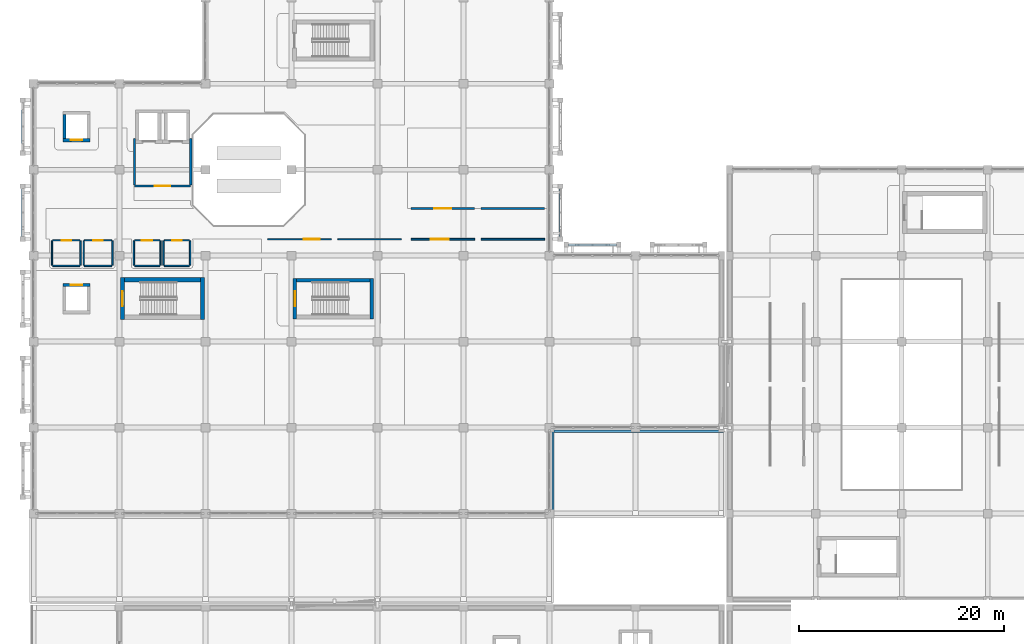
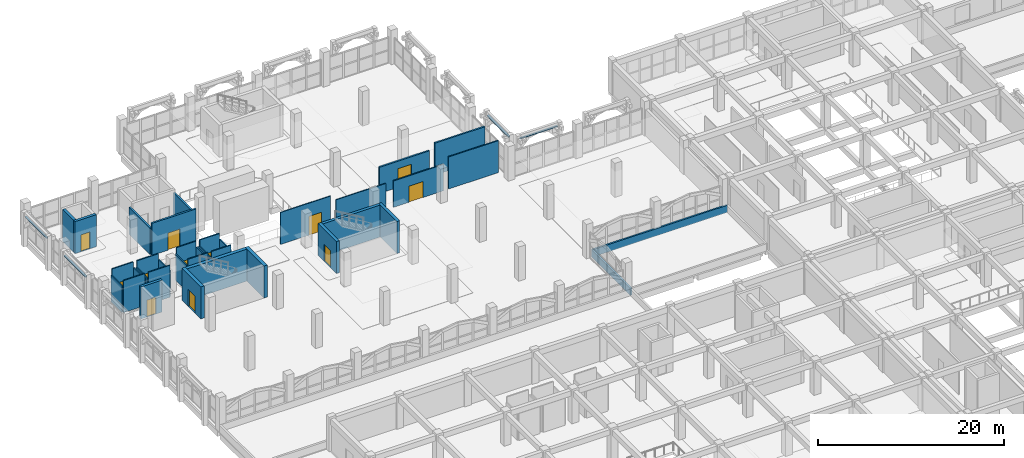
# One storey, part 112 of 129: 40 walls, 12 doors, 12 openings.
"""IFC4 building model written with IfcOpenShell, lengths in metres."""

from ifc_helpers import new_model, si_unit, direction, frame, frame_2d, origin, place, context, subcontext, project, spatial, rectangle, extrude, material, layer, layer_set, type_object, element, fill, save


model = new_model("IFC4")

# Units and contexts
model_context = context("Model", 3, precision=1e-05, world=origin(), true_north=direction((0.0, 1.0)))
body_context = subcontext(model_context, "Body", "Model", "MODEL_VIEW")
ifc_project = project(units=[si_unit("LENGTHUNIT", "METRE"), si_unit("AREAUNIT", "SQUARE_METRE"), si_unit("VOLUMEUNIT", "CUBIC_METRE"), si_unit("PLANEANGLEUNIT", "RADIAN"), si_unit("MASSUNIT", "GRAM", prefix="KILO")], contexts=[model_context])

# Site, building, storey
site_placement = place(None, origin())
site = spatial("IfcSite", under=ifc_project, at=site_placement, CompositionType="ELEMENT")
building_placement = place(site_placement, origin())
building = spatial("IfcBuilding", under=site, at=building_placement, Name="Xazarin Passage Department Store", CompositionType="ELEMENT")
storey_placement = place(building_placement, frame((0.0, 0.0, 9.89990234375)))
storey = spatial("IfcBuildingStorey", under=building, at=storey_placement, Name="L02", CompositionType="ELEMENT", Elevation=9.89990234375)

# Wall, opening, door
ifc_material_1 = material(Name="Buff Baku clay brick", Category="masonry")
ifc_layer_1 = layer(ifc_material_1, 0.205078125)
ifc_layer_set_1 = layer_set([ifc_layer_1], Name="Buff Baku clay brick")
wall_type_1 = type_object("IfcWallType", Name="ARC-W-FIR205", PredefinedType="PARTITIONING", material=ifc_layer_set_1)
wall_1_placement = place(storey_placement, frame((36.8701171875, 89.39990234375, 0.0), z_axis=(0.0, 0.0, 1.0), x_axis=(1.0, 0.0, 0.0)))
wall_1 = element("IfcWall", 1, at=wall_1_placement, inside=storey, type_object=wall_type_1, Name="L02 Menswear Tailoring Salon Front Wall 0157", PredefinedType="PARTITIONING", context=body_context, shape_type="SweptSolid", body=[
    extrude(rectangle(XDim=6.2099609375, YDim=0.205078125, at=frame_2d((3.10498046875, 0.0))), origin(), (0.0, 0.0, 1.0), 3.4501953125),
])
opening_1_placement = place(wall_1_placement, frame((2.284912109375, 0.0, 0.0)))
opening_1 = element("IfcOpeningElement", 2, at=opening_1_placement, cuts=wall_1, Name="Opening ID46", PredefinedType="OPENING", context=body_context, shape_type="SweptSolid", body=[
    extrude(rectangle(XDim=1.639892578125, YDim=2.4599609375, at=frame_2d((0.81982421875, 1.22998046875))), frame((0.0, 0.112548828125, 0.0), z_axis=(0.0, -1.0, 0.0), x_axis=(1.0, 0.0, 0.0)), (0.0, 0.0, 1.0), 0.22509765625),
])
ifc_material_2 = material(Name="Bronze anodised aluminium", Category="aluminium")
door_type_1 = type_object("IfcDoorType", Name="ARC-DR-ID46", OperationType="NOTDEFINED", PredefinedType="DOOR", material=ifc_material_2)
door_1_placement = place(opening_1_placement, origin())
door_1 = element("IfcDoor", 3, at=door_1_placement, inside=storey, type_object=door_type_1, Name="DR-INT-L02-0157", OperationType="DOUBLE_DOOR_SINGLE_SWING", OverallHeight=2.4599609375, OverallWidth=1.639892578125, PredefinedType="DOOR", context=body_context, shape_type="SweptSolid", body=[
    extrude(rectangle(XDim=1.639892578125, YDim=2.4599609375, at=frame_2d((0.81982421875, 1.22998046875))), frame((0.0, 0.02490234375, 0.0), z_axis=(0.0, -1.0, 0.0), x_axis=(1.0, 0.0, 0.0)), (0.0, 0.0, 1.0), 0.050048828125),
])
fill(opening_1, door_1)

# Wall
wall_2_placement = place(storey_placement, frame((43.719970703125, 89.39990234375, 0.0), z_axis=(0.0, 0.0, 1.0), x_axis=(1.0, 0.0, 0.0)))
element("IfcWall", 4, at=wall_2_placement, inside=storey, type_object=wall_type_1, Name="L02 Menswear Tailoring Salon Front Wall 0158", PredefinedType="PARTITIONING", context=body_context, shape_type="SweptSolid", body=[
    extrude(rectangle(XDim=6.2099609375, YDim=0.205078125, at=frame_2d((3.10498046875, 0.0))), origin(), (0.0, 0.0, 1.0), 4.2001953125),
])

# Wall, opening, door
ifc_material_3 = material(Name="Concrete C35/45", Category="concrete")
ifc_layer_2 = layer(ifc_material_3, 0.22509765625)
ifc_layer_set_2 = layer_set([ifc_layer_2], Name="Concrete C35/45")
wall_type_2 = type_object("IfcWallType", Name="ARC-W-FIR225", PredefinedType="PARTITIONING", material=ifc_layer_set_2)
wall_3_placement = place(storey_placement, frame((9.85009765625, 91.60009765625, 0.0), z_axis=(0.0, 0.0, 1.0), x_axis=(1.0, 0.0, 0.0)))
wall_3 = element("IfcWall", 5, at=wall_3_placement, inside=storey, type_object=wall_type_2, Name="L02 Firefighting Lift Lobby South Wall 0010", PredefinedType="PARTITIONING", context=body_context, shape_type="SweptSolid", body=[
    extrude(rectangle(XDim=5.5, YDim=0.22509765625, at=frame_2d((2.75, 0.0))), origin(), (0.0, 0.0, 1.0), 4.2001953125),
])
opening_2_placement = place(wall_3_placement, frame((2.0, 0.0, 0.0)))
opening_2 = element("IfcOpeningElement", 6, at=opening_2_placement, cuts=wall_3, Name="Opening FD3", PredefinedType="OPENING", context=body_context, shape_type="SweptSolid", body=[
    extrude(rectangle(XDim=1.5, YDim=2.25, at=frame_2d((0.75, 1.125))), frame((0.0, 0.12255859375, 0.0), z_axis=(0.0, -1.0, 0.0), x_axis=(1.0, 0.0, 0.0)), (0.0, 0.0, 1.0), 0.2451171875),
])
ifc_material_4 = material(Name="Steel S355", Category="steel")
door_type_2 = type_object("IfcDoorType", Name="ARC-DR-FFL150", OperationType="NOTDEFINED", PredefinedType="DOOR", material=ifc_material_4)
door_2_placement = place(opening_2_placement, origin())
door_2 = element("IfcDoor", 7, at=door_2_placement, inside=storey, type_object=door_type_2, Name="DR-INT-L02-0010", OperationType="SINGLE_SWING_LEFT", OverallHeight=2.25, OverallWidth=1.5, PredefinedType="DOOR", context=body_context, shape_type="SweptSolid", body=[
    extrude(rectangle(XDim=1.5, YDim=2.25, at=frame_2d((0.75, 1.125))), frame((0.0, 0.02490234375, 0.0), z_axis=(0.0, -1.0, 0.0), x_axis=(1.0, 0.0, 0.0)), (0.0, 0.0, 1.0), 0.050048828125),
])
fill(opening_2, door_2)

# Walls
for number, where, z_axis, x_axis, name in (
    (8, (9.85009765625, 91.7099609375, 0.0), (0.0, 0.0, 1.0), (0.0, 1.0, 0.0), "L02 Firefighting Lift Lobby West Wall 0011"),
    (9, (15.35009765625, 91.7099609375, 0.0), (0.0, 0.0, 1.0), (0.0, 1.0, 0.0), "L02 Firefighting Lift Lobby East Wall 0012"),
):
    element("IfcWall", number, at=place(storey_placement, frame(where, z_axis=z_axis, x_axis=x_axis)), inside=storey, type_object=wall_type_2, Name=name, PredefinedType="PARTITIONING", context=body_context, shape_type="SweptSolid", body=[
        extrude(rectangle(XDim=4.530029296875, YDim=0.22509765625, at=frame_2d((2.26513671875, 0.0))), origin(), (0.0, 0.0, 1.0), 3.5),
    ])
ifc_material_5 = material(Name="Precast concrete C40/50", Category="concrete")
ifc_layer_3 = layer(ifc_material_5, 0.2099609375)
ifc_layer_set_3 = layer_set([ifc_layer_3], Name="Precast concrete C40/50")
wall_type_3 = type_object("IfcWallType", Name="ARC-W-PAR210", PredefinedType="PARAPET", material=ifc_layer_set_3)
wall_4_placement = place(storey_placement, frame((52.27001953125, 85.85009765625, 3.880126953125), z_axis=(0.0, 0.0, 1.0), x_axis=(1.0, 0.0, 0.0)))
element("IfcWall", 10, at=wall_4_placement, inside=storey, type_object=wall_type_3, Name="L02 V1 Pierced-Arch Spandrel Lintel 0029", PredefinedType="PARAPET", context=body_context, shape_type="SweptSolid", body=[
    extrude(rectangle(XDim=4.659912109375, YDim=0.2099609375, at=frame_2d((2.330078125, 0.0))), origin(), (0.0, 0.0, 1.0), 0.119873046875),
])
wall_5_placement = place(storey_placement, frame((-1.050048828125, 86.669921875, 3.880126953125), z_axis=(0.0, 0.0, 1.0), x_axis=(0.0, 1.0, 0.0)))
element("IfcWall", 11, at=wall_5_placement, inside=storey, type_object=wall_type_3, Name="L02 V1 Pierced-Arch Spandrel Lintel 0057", PredefinedType="PARAPET", context=body_context, shape_type="SweptSolid", body=[
    extrude(rectangle(XDim=4.66015625, YDim=0.2099609375, at=frame_2d((2.330078125, 0.0))), origin(), (0.0, 0.0, 1.0), 0.119873046875),
])
wall_6_placement = place(storey_placement, frame((-1.050048828125, 95.070068359375, 3.880126953125), z_axis=(0.0, 0.0, 1.0), x_axis=(0.0, 1.0, 0.0)))
element("IfcWall", 12, at=wall_6_placement, inside=storey, type_object=wall_type_3, Name="L02 V1 Pierced-Arch Spandrel Lintel 0065", PredefinedType="PARAPET", context=body_context, shape_type="SweptSolid", body=[
    extrude(rectangle(XDim=4.659912109375, YDim=0.2099609375, at=frame_2d((2.330078125, 0.0))), origin(), (0.0, 0.0, 1.0), 0.119873046875),
])
wall_7_placement = place(storey_placement, frame((51.449951171875, 86.669921875, 3.880126953125), z_axis=(0.0, 0.0, 1.0), x_axis=(0.0, 1.0, 0.0)))
element("IfcWall", 13, at=wall_7_placement, inside=storey, type_object=wall_type_3, Name="L02 V1 Pierced-Arch Spandrel Lintel 0073", PredefinedType="PARAPET", context=body_context, shape_type="SweptSolid", body=[
    extrude(rectangle(XDim=4.66015625, YDim=0.2099609375, at=frame_2d((2.330078125, 0.0))), origin(), (0.0, 0.0, 1.0), 0.119873046875),
])
wall_8_placement = place(storey_placement, frame((67.5, 67.64990234375, 0.0), z_axis=(0.0, 0.0, 1.0), x_axis=(-1.0, 0.0, 0.0)))
element("IfcWall", 14, at=wall_8_placement, inside=storey, type_object=wall_type_3, Name="L02 Roof Parapet 006", PredefinedType="PARAPET", context=body_context, shape_type="SweptSolid", body=[
    extrude(rectangle(XDim=16.75, YDim=0.2099609375, at=frame_2d((8.375, 0.0))), origin(), (0.0, 0.0, 1.0), 0.9501953125),
])
wall_9_placement = place(storey_placement, frame((50.75, 67.64990234375, 0.0), z_axis=(0.0, 0.0, 1.0), x_axis=(0.0, -1.0, 0.0)))
element("IfcWall", 15, at=wall_9_placement, inside=storey, type_object=wall_type_3, Name="L02 Roof Parapet 007", PredefinedType="PARAPET", context=body_context, shape_type="SweptSolid", body=[
    extrude(rectangle(XDim=8.349853515625, YDim=0.2099609375, at=frame_2d((4.1748046875, 0.0))), origin(), (0.0, 0.0, 1.0), 0.9501953125),
])

# Wall, opening, door
ifc_material_6 = material(Name="Gypsum board acoustic partition")
ifc_layer_4 = layer(ifc_material_6, 0.110107421875)
ifc_layer_set_4 = layer_set([ifc_layer_4], Name="Gypsum board acoustic partition")
wall_type_4 = type_object("IfcWallType", Name="ARC-W-PRT110", PredefinedType="PARTITIONING", material=ifc_layer_set_4)
wall_10_placement = place(storey_placement, frame((22.8701171875, 86.39990234375, 0.0), z_axis=(0.0, 0.0, 1.0), x_axis=(1.0, 0.0, 0.0)))
wall_10 = element("IfcWall", 16, at=wall_10_placement, inside=storey, type_object=wall_type_4, Name="L02 Contemporary Fashion Gallery Front Wall 0155", PredefinedType="PARTITIONING", context=body_context, shape_type="SweptSolid", body=[
    extrude(rectangle(XDim=6.2099609375, YDim=0.110107421875, at=frame_2d((3.10498046875, 0.0))), origin(), (0.0, 0.0, 1.0), 4.2001953125),
])
opening_3_placement = place(wall_10_placement, frame((3.544921875, 0.0, 0.0)))
opening_3 = element("IfcOpeningElement", 17, at=opening_3_placement, cuts=wall_10, Name="Opening ID42", PredefinedType="OPENING", context=body_context, shape_type="SweptSolid", body=[
    extrude(rectangle(XDim=1.52001953125, YDim=2.4599609375, at=frame_2d((0.760009765625, 1.22998046875))), frame((0.0, 0.06494140625, 0.0), z_axis=(0.0, -1.0, 0.0), x_axis=(1.0, 0.0, 0.0)), (0.0, 0.0, 1.0), 0.130126953125),
])
door_type_3 = type_object("IfcDoorType", Name="ARC-DR-ID42", OperationType="NOTDEFINED", PredefinedType="DOOR", material=ifc_material_2)
door_3_placement = place(opening_3_placement, origin())
door_3 = element("IfcDoor", 18, at=door_3_placement, inside=storey, type_object=door_type_3, Name="DR-INT-L02-0155", OperationType="SINGLE_SWING_RIGHT", OverallHeight=2.4599609375, OverallWidth=1.52001953125, PredefinedType="DOOR", context=body_context, shape_type="SweptSolid", body=[
    extrude(rectangle(XDim=1.52001953125, YDim=2.4599609375, at=frame_2d((0.760009765625, 1.22998046875))), frame((0.0, 0.02490234375, 0.0), z_axis=(0.0, -1.0, 0.0), x_axis=(1.0, 0.0, 0.0)), (0.0, 0.0, 1.0), 0.050048828125),
])
fill(opening_3, door_3)

# Wall
wall_11_placement = place(storey_placement, frame((29.719970703125, 86.39990234375, 0.0), z_axis=(0.0, 0.0, 1.0), x_axis=(1.0, 0.0, 0.0)))
element("IfcWall", 19, at=wall_11_placement, inside=storey, type_object=wall_type_4, Name="L02 Contemporary Fashion Gallery Front Wall 0156", PredefinedType="PARTITIONING", context=body_context, shape_type="SweptSolid", body=[
    extrude(rectangle(XDim=6.2099609375, YDim=0.110107421875, at=frame_2d((3.10498046875, 0.0))), origin(), (0.0, 0.0, 1.0), 3.4501953125),
])

# Wall, opening, door
ifc_material_7 = material(Name="Moisture-resistant masonry partition", Category="masonry")
ifc_layer_5 = layer(ifc_material_7, 0.139892578125)
ifc_layer_set_5 = layer_set([ifc_layer_5], Name="Moisture-resistant masonry partition")
wall_type_5 = type_object("IfcWallType", Name="ARC-W-PRT140", PredefinedType="PARTITIONING", material=ifc_layer_set_5)
wall_12_placement = place(storey_placement, frame((1.8701171875, 86.300048828125, 0.0), z_axis=(0.0, 0.0, 1.0), x_axis=(1.0, 0.0, 0.0)))
wall_12 = element("IfcWall", 20, at=wall_12_placement, inside=storey, type_object=wall_type_5, Name="L02 Public Male WC 0139", PredefinedType="PARTITIONING", context=body_context, shape_type="SweptSolid", body=[
    extrude(rectangle(XDim=2.659912109375, YDim=0.139892578125, at=frame_2d((1.330078125, 0.0))), origin(), (0.0, 0.0, 1.0), 4.2001953125),
])
opening_4_placement = place(wall_12_placement, frame((0.8701171875, 0.0, 0.0)))
opening_4 = element("IfcOpeningElement", 21, at=opening_4_placement, cuts=wall_12, Name="Opening ID1", PredefinedType="OPENING", context=body_context, shape_type="SweptSolid", body=[
    extrude(rectangle(XDim=0.919921875, YDim=2.1201171875, at=frame_2d((0.4599609375, 1.06005859375))), frame((0.0, 0.079833984375, 0.0), z_axis=(0.0, -1.0, 0.0), x_axis=(1.0, 0.0, 0.0)), (0.0, 0.0, 1.0), 0.159912109375),
])
ifc_material_8 = material(Name="Timber acoustic leaf", Category="wood")
door_type_4 = type_object("IfcDoorType", Name="ARC-DR-WC092", OperationType="NOTDEFINED", PredefinedType="DOOR", material=ifc_material_8)
door_4_placement = place(opening_4_placement, origin())
door_4 = element("IfcDoor", 22, at=door_4_placement, inside=storey, type_object=door_type_4, Name="DR-INT-L02-0139", OperationType="SINGLE_SWING_RIGHT", OverallHeight=2.1201171875, OverallWidth=0.919921875, PredefinedType="DOOR", context=body_context, shape_type="SweptSolid", body=[
    extrude(rectangle(XDim=0.919921875, YDim=2.1201171875, at=frame_2d((0.4599609375, 1.06005859375))), frame((0.0, 0.02490234375, 0.0), z_axis=(0.0, -1.0, 0.0), x_axis=(1.0, 0.0, 0.0)), (0.0, 0.0, 1.0), 0.050048828125),
])
fill(opening_4, door_4)

# Walls
wall_13_placement = place(storey_placement, frame((1.8701171875, 83.800048828125, 0.0), z_axis=(0.0, 0.0, 1.0), x_axis=(1.0, 0.0, 0.0)))
element("IfcWall", 23, at=wall_13_placement, inside=storey, type_object=wall_type_5, Name="L02 Public Male WC Back Wall 0140", PredefinedType="PARTITIONING", context=body_context, shape_type="SweptSolid", body=[
    extrude(rectangle(XDim=2.659912109375, YDim=0.139892578125, at=frame_2d((1.330078125, 0.0))), origin(), (0.0, 0.0, 1.0), 4.2001953125),
])
for number, where, z_axis, x_axis, name in (
    (24, (1.800048828125, 83.8701171875, 0.0), (0.0, 0.0, 1.0), (0.0, 1.0, 0.0), "L02 Public Male WC Side Wall 0141"),
    (25, (4.60009765625, 83.8701171875, 0.0), (0.0, 0.0, 1.0), (0.0, 1.0, 0.0), "L02 Public Male WC Side Wall 0142"),
):
    element("IfcWall", number, at=place(storey_placement, frame(where, z_axis=z_axis, x_axis=x_axis)), inside=storey, type_object=wall_type_5, Name=name, PredefinedType="PARTITIONING", context=body_context, shape_type="SweptSolid", body=[
        extrude(rectangle(XDim=2.35986328125, YDim=0.139892578125, at=frame_2d((1.179931640625, 0.0))), origin(), (0.0, 0.0, 1.0), 3.4501953125),
    ])

# Wall, opening, door
wall_14_placement = place(storey_placement, frame((4.969970703125, 86.300048828125, 0.0), z_axis=(0.0, 0.0, 1.0), x_axis=(1.0, 0.0, 0.0)))
wall_14 = element("IfcWall", 26, at=wall_14_placement, inside=storey, type_object=wall_type_5, Name="L02 Public Female WC 0143", PredefinedType="PARTITIONING", context=body_context, shape_type="SweptSolid", body=[
    extrude(rectangle(XDim=2.659912109375, YDim=0.139892578125, at=frame_2d((1.330078125, 0.0))), origin(), (0.0, 0.0, 1.0), 4.2001953125),
])
opening_5_placement = place(wall_14_placement, frame((0.8701171875, 0.0, 0.0)))
opening_5 = element("IfcOpeningElement", 27, at=opening_5_placement, cuts=wall_14, Name="Opening ID1", PredefinedType="OPENING", context=body_context, shape_type="SweptSolid", body=[
    extrude(rectangle(XDim=0.919921875, YDim=2.1201171875, at=frame_2d((0.4599609375, 1.06005859375))), frame((0.0, 0.079833984375, 0.0), z_axis=(0.0, -1.0, 0.0), x_axis=(1.0, 0.0, 0.0)), (0.0, 0.0, 1.0), 0.159912109375),
])
door_5_placement = place(opening_5_placement, origin())
door_5 = element("IfcDoor", 28, at=door_5_placement, inside=storey, type_object=door_type_4, Name="DR-INT-L02-0143", OperationType="SINGLE_SWING_LEFT", OverallHeight=2.1201171875, OverallWidth=0.919921875, PredefinedType="DOOR", context=body_context, shape_type="SweptSolid", body=[
    extrude(rectangle(XDim=0.919921875, YDim=2.1201171875, at=frame_2d((0.4599609375, 1.06005859375))), frame((0.0, 0.02490234375, 0.0), z_axis=(0.0, -1.0, 0.0), x_axis=(1.0, 0.0, 0.0)), (0.0, 0.0, 1.0), 0.050048828125),
])
fill(opening_5, door_5)

# Walls
wall_15_placement = place(storey_placement, frame((4.969970703125, 83.800048828125, 0.0), z_axis=(0.0, 0.0, 1.0), x_axis=(1.0, 0.0, 0.0)))
element("IfcWall", 29, at=wall_15_placement, inside=storey, type_object=wall_type_5, Name="L02 Public Female WC Back Wall 0144", PredefinedType="PARTITIONING", context=body_context, shape_type="SweptSolid", body=[
    extrude(rectangle(XDim=2.659912109375, YDim=0.139892578125, at=frame_2d((1.330078125, 0.0))), origin(), (0.0, 0.0, 1.0), 4.2001953125),
])
for number, where, z_axis, x_axis, name in (
    (30, (4.89990234375, 83.8701171875, 0.0), (0.0, 0.0, 1.0), (0.0, 1.0, 0.0), "L02 Public Female WC Side Wall 0145"),
    (31, (7.699951171875, 83.8701171875, 0.0), (0.0, 0.0, 1.0), (0.0, 1.0, 0.0), "L02 Public Female WC Side Wall 0146"),
):
    element("IfcWall", number, at=place(storey_placement, frame(where, z_axis=z_axis, x_axis=x_axis)), inside=storey, type_object=wall_type_5, Name=name, PredefinedType="PARTITIONING", context=body_context, shape_type="SweptSolid", body=[
        extrude(rectangle(XDim=2.35986328125, YDim=0.139892578125, at=frame_2d((1.179931640625, 0.0))), origin(), (0.0, 0.0, 1.0), 3.4501953125),
    ])

# Wall, opening, door
wall_16_placement = place(storey_placement, frame((9.8701171875, 86.300048828125, 0.0), z_axis=(0.0, 0.0, 1.0), x_axis=(1.0, 0.0, 0.0)))
wall_16 = element("IfcWall", 32, at=wall_16_placement, inside=storey, type_object=wall_type_5, Name="L02 Accessible WC 0147", PredefinedType="PARTITIONING", context=body_context, shape_type="SweptSolid", body=[
    extrude(rectangle(XDim=2.4599609375, YDim=0.139892578125, at=frame_2d((1.22998046875, 0.0))), origin(), (0.0, 0.0, 1.0), 4.2001953125),
])
opening_6_placement = place(wall_16_placement, frame((0.719970703125, 0.0, 0.0)))
opening_6 = element("IfcOpeningElement", 33, at=opening_6_placement, cuts=wall_16, Name="Opening ID2", PredefinedType="OPENING", context=body_context, shape_type="SweptSolid", body=[
    extrude(rectangle(XDim=1.02001953125, YDim=2.14990234375, at=frame_2d((0.510009765625, 1.074951171875))), frame((0.0, 0.079833984375, 0.0), z_axis=(0.0, -1.0, 0.0), x_axis=(1.0, 0.0, 0.0)), (0.0, 0.0, 1.0), 0.159912109375),
])
door_type_5 = type_object("IfcDoorType", Name="ARC-DR-AWC102", OperationType="NOTDEFINED", PredefinedType="DOOR", material=ifc_material_8)
door_6_placement = place(opening_6_placement, origin())
door_6 = element("IfcDoor", 34, at=door_6_placement, inside=storey, type_object=door_type_5, Name="DR-INT-L02-0147", OperationType="SINGLE_SWING_RIGHT", OverallHeight=2.14990234375, OverallWidth=1.02001953125, PredefinedType="DOOR", context=body_context, shape_type="SweptSolid", body=[
    extrude(rectangle(XDim=1.02001953125, YDim=2.14990234375, at=frame_2d((0.510009765625, 1.074951171875))), frame((0.0, 0.02490234375, 0.0), z_axis=(0.0, -1.0, 0.0), x_axis=(1.0, 0.0, 0.0)), (0.0, 0.0, 1.0), 0.050048828125),
])
fill(opening_6, door_6)

# Walls
wall_17_placement = place(storey_placement, frame((9.8701171875, 83.800048828125, 0.0), z_axis=(0.0, 0.0, 1.0), x_axis=(1.0, 0.0, 0.0)))
element("IfcWall", 35, at=wall_17_placement, inside=storey, type_object=wall_type_5, Name="L02 Accessible WC Back Wall 0148", PredefinedType="PARTITIONING", context=body_context, shape_type="SweptSolid", body=[
    extrude(rectangle(XDim=2.4599609375, YDim=0.139892578125, at=frame_2d((1.22998046875, 0.0))), origin(), (0.0, 0.0, 1.0), 4.2001953125),
])
for number, where, z_axis, x_axis, name in (
    (36, (9.800048828125, 83.8701171875, 0.0), (0.0, 0.0, 1.0), (0.0, 1.0, 0.0), "L02 Accessible WC Side Wall 0149"),
    (37, (12.39990234375, 83.8701171875, 0.0), (0.0, 0.0, 1.0), (0.0, 1.0, 0.0), "L02 Accessible WC Side Wall 0150"),
):
    element("IfcWall", number, at=place(storey_placement, frame(where, z_axis=z_axis, x_axis=x_axis)), inside=storey, type_object=wall_type_5, Name=name, PredefinedType="PARTITIONING", context=body_context, shape_type="SweptSolid", body=[
        extrude(rectangle(XDim=2.35986328125, YDim=0.139892578125, at=frame_2d((1.179931640625, 0.0))), origin(), (0.0, 0.0, 1.0), 3.4501953125),
    ])

# Wall, opening, door
wall_18_placement = place(storey_placement, frame((12.77001953125, 86.300048828125, 0.0), z_axis=(0.0, 0.0, 1.0), x_axis=(1.0, 0.0, 0.0)))
wall_18 = element("IfcWall", 38, at=wall_18_placement, inside=storey, type_object=wall_type_5, Name="L02 Staff WC 0151", PredefinedType="PARTITIONING", context=body_context, shape_type="SweptSolid", body=[
    extrude(rectangle(XDim=2.4599609375, YDim=0.139892578125, at=frame_2d((1.22998046875, 0.0))), origin(), (0.0, 0.0, 1.0), 4.2001953125),
])
opening_7_placement = place(wall_18_placement, frame((0.77001953125, 0.0, 0.0)))
opening_7 = element("IfcOpeningElement", 39, at=opening_7_placement, cuts=wall_18, Name="Opening ID1", PredefinedType="OPENING", context=body_context, shape_type="SweptSolid", body=[
    extrude(rectangle(XDim=0.919921875, YDim=2.1201171875, at=frame_2d((0.4599609375, 1.06005859375))), frame((0.0, 0.079833984375, 0.0), z_axis=(0.0, -1.0, 0.0), x_axis=(1.0, 0.0, 0.0)), (0.0, 0.0, 1.0), 0.159912109375),
])
door_7_placement = place(opening_7_placement, origin())
door_7 = element("IfcDoor", 40, at=door_7_placement, inside=storey, type_object=door_type_4, Name="DR-INT-L02-0151", OperationType="SINGLE_SWING_LEFT", OverallHeight=2.1201171875, OverallWidth=0.919921875, PredefinedType="DOOR", context=body_context, shape_type="SweptSolid", body=[
    extrude(rectangle(XDim=0.919921875, YDim=2.1201171875, at=frame_2d((0.4599609375, 1.06005859375))), frame((0.0, 0.02490234375, 0.0), z_axis=(0.0, -1.0, 0.0), x_axis=(1.0, 0.0, 0.0)), (0.0, 0.0, 1.0), 0.050048828125),
])
fill(opening_7, door_7)

# Walls
wall_19_placement = place(storey_placement, frame((12.77001953125, 83.800048828125, 0.0), z_axis=(0.0, 0.0, 1.0), x_axis=(1.0, 0.0, 0.0)))
element("IfcWall", 41, at=wall_19_placement, inside=storey, type_object=wall_type_5, Name="L02 Staff WC Back Wall 0152", PredefinedType="PARTITIONING", context=body_context, shape_type="SweptSolid", body=[
    extrude(rectangle(XDim=2.4599609375, YDim=0.139892578125, at=frame_2d((1.22998046875, 0.0))), origin(), (0.0, 0.0, 1.0), 4.2001953125),
])
for number, where, z_axis, x_axis, name in (
    (42, (12.699951171875, 83.8701171875, 0.0), (0.0, 0.0, 1.0), (0.0, 1.0, 0.0), "L02 Staff WC Side Wall 0153"),
    (43, (15.300048828125, 83.8701171875, 0.0), (0.0, 0.0, 1.0), (0.0, 1.0, 0.0), "L02 Staff WC Side Wall 0154"),
):
    element("IfcWall", number, at=place(storey_placement, frame(where, z_axis=z_axis, x_axis=x_axis)), inside=storey, type_object=wall_type_5, Name=name, PredefinedType="PARTITIONING", context=body_context, shape_type="SweptSolid", body=[
        extrude(rectangle(XDim=2.35986328125, YDim=0.139892578125, at=frame_2d((1.179931640625, 0.0))), origin(), (0.0, 0.0, 1.0), 3.4501953125),
    ])

# Wall, opening, door
ifc_layer_6 = layer(ifc_material_6, 0.155029296875)
ifc_layer_set_6 = layer_set([ifc_layer_6], Name="Gypsum board acoustic partition")
wall_type_6 = type_object("IfcWallType", Name="ARC-W-PRT155", PredefinedType="PARTITIONING", material=ifc_layer_set_6)
wall_20_placement = place(storey_placement, frame((36.8701171875, 86.39990234375, 0.0), z_axis=(0.0, 0.0, 1.0), x_axis=(1.0, 0.0, 0.0)))
wall_20 = element("IfcWall", 44, at=wall_20_placement, inside=storey, type_object=wall_type_6, Name="L02 Menswear Tailoring Salon Front Wall 0159", PredefinedType="PARTITIONING", context=body_context, shape_type="SweptSolid", body=[
    extrude(rectangle(XDim=6.2099609375, YDim=0.155029296875, at=frame_2d((3.10498046875, 0.0))), origin(), (0.0, 0.0, 1.0), 3.4501953125),
])
opening_8_placement = place(wall_20_placement, frame((1.945068359375, 0.0, 0.0)))
opening_8 = element("IfcOpeningElement", 45, at=opening_8_placement, cuts=wall_20, Name="Opening ID47", PredefinedType="OPENING", context=body_context, shape_type="SweptSolid", body=[
    extrude(rectangle(XDim=1.719970703125, YDim=2.10009765625, at=frame_2d((0.85986328125, 1.050048828125))), frame((0.0, 0.08740234375, 0.0), z_axis=(0.0, -1.0, 0.0), x_axis=(1.0, 0.0, 0.0)), (0.0, 0.0, 1.0), 0.175048828125),
])
door_type_6 = type_object("IfcDoorType", Name="ARC-DR-ID47", OperationType="NOTDEFINED", PredefinedType="DOOR", material=ifc_material_2)
door_8_placement = place(opening_8_placement, origin())
door_8 = element("IfcDoor", 46, at=door_8_placement, inside=storey, type_object=door_type_6, Name="DR-INT-L02-0159", OperationType="DOUBLE_DOOR_SINGLE_SWING", OverallHeight=2.10009765625, OverallWidth=1.719970703125, PredefinedType="DOOR", context=body_context, shape_type="SweptSolid", body=[
    extrude(rectangle(XDim=1.719970703125, YDim=2.10009765625, at=frame_2d((0.85986328125, 1.050048828125))), frame((0.0, 0.02490234375, 0.0), z_axis=(0.0, -1.0, 0.0), x_axis=(1.0, 0.0, 0.0)), (0.0, 0.0, 1.0), 0.050048828125),
])
fill(opening_8, door_8)

# Wall
wall_21_placement = place(storey_placement, frame((43.719970703125, 86.39990234375, 0.0), z_axis=(0.0, 0.0, 1.0), x_axis=(1.0, 0.0, 0.0)))
element("IfcWall", 47, at=wall_21_placement, inside=storey, type_object=wall_type_6, Name="L02 Menswear Tailoring Salon Front Wall 0160", PredefinedType="PARTITIONING", context=body_context, shape_type="SweptSolid", body=[
    extrude(rectangle(XDim=6.2099609375, YDim=0.155029296875, at=frame_2d((3.10498046875, 0.0))), origin(), (0.0, 0.0, 1.0), 4.2001953125),
])

# Wall, opening, door
ifc_material_9 = material(Name="Concrete C40/50", Category="concrete")
ifc_layer_7 = layer(ifc_material_9, 0.31005859375)
ifc_layer_set_7 = layer_set([ifc_layer_7], Name="Concrete C40/50")
wall_type_7 = type_object("IfcWallType", Name="STR-W-LFT310", PredefinedType="SHEAR", material=ifc_layer_set_7)
wall_22_placement = place(storey_placement, frame((2.8701171875, 81.925048828125, 0.0), z_axis=(0.0, 0.0, 1.0), x_axis=(1.0, 0.0, 0.0)))
wall_22 = element("IfcWall", 48, at=wall_22_placement, inside=storey, type_object=wall_type_7, Name="L02 Lift PL1 Shaft Wall North", PredefinedType="SHEAR", context=body_context, shape_type="SweptSolid", body=[
    extrude(rectangle(XDim=2.659912109375, YDim=0.31005859375, at=frame_2d((1.330078125, 0.0))), origin(), (0.0, 0.0, 1.0), 4.2001953125),
])
opening_9_placement = place(wall_22_placement, frame((0.780029296875, 0.0, 0.0)))
opening_9 = element("IfcOpeningElement", 49, at=opening_9_placement, cuts=wall_22, Name="Opening LD-PL1-L02", PredefinedType="OPENING", context=body_context, shape_type="SweptSolid", body=[
    extrude(rectangle(XDim=1.10009765625, YDim=2.199951171875, at=frame_2d((0.550048828125, 1.10009765625))), frame((0.0, 0.1650390625, 0.0), z_axis=(0.0, -1.0, 0.0), x_axis=(1.0, 0.0, 0.0)), (0.0, 0.0, 1.0), 0.330078125),
])
door_type_7 = type_object("IfcDoorType", Name="ARC-DR-LD110", OperationType="NOTDEFINED", PredefinedType="DOOR", material=ifc_material_4)
door_9_placement = place(opening_9_placement, origin())
door_9 = element("IfcDoor", 50, at=door_9_placement, inside=storey, type_object=door_type_7, Name="DR-LD-PL1-L02", OperationType="SLIDING_TO_LEFT", OverallHeight=2.199951171875, OverallWidth=1.10009765625, PredefinedType="DOOR", context=body_context, shape_type="SweptSolid", body=[
    extrude(rectangle(XDim=1.10009765625, YDim=2.199951171875, at=frame_2d((0.550048828125, 1.10009765625))), frame((0.0, 0.02490234375, 0.0), z_axis=(0.0, -1.0, 0.0), x_axis=(1.0, 0.0, 0.0)), (0.0, 0.0, 1.0), 0.050048828125),
])
fill(opening_9, door_9)

wall_23_placement = place(storey_placement, frame((2.8701171875, 96.074951171875, 0.0), z_axis=(0.0, 0.0, 1.0), x_axis=(1.0, 0.0, 0.0)))
wall_23 = element("IfcWall", 51, at=wall_23_placement, inside=storey, type_object=wall_type_7, Name="L02 Lift PL2 Shaft Wall South", PredefinedType="SHEAR", context=body_context, shape_type="SweptSolid", body=[
    extrude(rectangle(XDim=2.659912109375, YDim=0.31005859375, at=frame_2d((1.330078125, 0.0))), origin(), (0.0, 0.0, 1.0), 4.2001953125),
])
opening_10_placement = place(wall_23_placement, frame((0.780029296875, 0.0, 0.0)))
opening_10 = element("IfcOpeningElement", 52, at=opening_10_placement, cuts=wall_23, Name="Opening LD-PL2-L02", PredefinedType="OPENING", context=body_context, shape_type="SweptSolid", body=[
    extrude(rectangle(XDim=1.10009765625, YDim=2.199951171875, at=frame_2d((0.550048828125, 1.10009765625))), frame((0.0, 0.1650390625, 0.0), z_axis=(0.0, -1.0, 0.0), x_axis=(1.0, 0.0, 0.0)), (0.0, 0.0, 1.0), 0.330078125),
])
door_10_placement = place(opening_10_placement, origin())
door_10 = element("IfcDoor", 53, at=door_10_placement, inside=storey, type_object=door_type_7, Name="DR-LD-PL2-L02", OperationType="SLIDING_TO_LEFT", OverallHeight=2.199951171875, OverallWidth=1.10009765625, PredefinedType="DOOR", context=body_context, shape_type="SweptSolid", body=[
    extrude(rectangle(XDim=1.10009765625, YDim=2.199951171875, at=frame_2d((0.550048828125, 1.10009765625))), frame((0.0, 0.02490234375, 0.0), z_axis=(0.0, -1.0, 0.0), x_axis=(1.0, 0.0, 0.0)), (0.0, 0.0, 1.0), 0.050048828125),
])
fill(opening_10, door_10)

# Wall
wall_24_placement = place(storey_placement, frame((3.02490234375, 96.22998046875, 0.0), z_axis=(0.0, 0.0, 1.0), x_axis=(0.0, 1.0, 0.0)))
element("IfcWall", 54, at=wall_24_placement, inside=storey, type_object=wall_type_7, Name="L02 Lift PL2 Shaft Wall West", PredefinedType="SHEAR", context=body_context, shape_type="SweptSolid", body=[
    extrude(rectangle(XDim=2.340087890625, YDim=0.31005859375, at=frame_2d((1.169921875, 0.0))), origin(), (0.0, 0.0, 1.0), 4.2001953125),
])

# Wall, opening, door
ifc_layer_8 = layer(ifc_material_9, 0.35009765625)
ifc_layer_set_8 = layer_set([ifc_layer_8], Name="Concrete C40/50")
wall_type_8 = type_object("IfcWallType", Name="STR-W-SHR350", PredefinedType="SHEAR", material=ifc_layer_set_8)
wall_25_placement = place(storey_placement, frame((25.52490234375, 82.570068359375, 0.0), z_axis=(0.0, 0.0, 1.0), x_axis=(0.0, -1.0, 0.0)))
wall_25 = element("IfcWall", 55, at=wall_25_placement, inside=storey, type_object=wall_type_8, Name="L02 Core K3 West Shear Wall", PredefinedType="SHEAR", context=body_context, shape_type="SweptSolid", body=[
    extrude(rectangle(XDim=3.940185546875, YDim=0.35009765625, at=frame_2d((1.97021484375, 0.0))), origin(), (0.0, 0.0, 1.0), 4.2001953125),
])
opening_11_placement = place(wall_25_placement, frame((1.2451171875, 0.0, 0.0)))
opening_11 = element("IfcOpeningElement", 56, at=opening_11_placement, cuts=wall_25, Name="Opening FD1", PredefinedType="OPENING", context=body_context, shape_type="SweptSolid", body=[
    extrude(rectangle(XDim=1.449951171875, YDim=2.199951171875, at=frame_2d((0.72509765625, 1.10009765625))), frame((0.0, 0.18505859375, 0.0), z_axis=(0.0, -1.0, 0.0), x_axis=(1.0, 0.0, 0.0)), (0.0, 0.0, 1.0), 0.3701171875),
])
door_type_8 = type_object("IfcDoorType", Name="ARC-DR-STR145", OperationType="NOTDEFINED", PredefinedType="DOOR", material=ifc_material_4)
door_11_placement = place(opening_11_placement, origin())
door_11 = element("IfcDoor", 57, at=door_11_placement, inside=storey, type_object=door_type_8, Name="DR-STR-K3-L02", OperationType="SINGLE_SWING_RIGHT", OverallHeight=2.199951171875, OverallWidth=1.449951171875, PredefinedType="DOOR", context=body_context, shape_type="SweptSolid", body=[
    extrude(rectangle(XDim=1.449951171875, YDim=2.199951171875, at=frame_2d((0.72509765625, 1.10009765625))), frame((0.0, 0.02490234375, 0.0), z_axis=(0.0, -1.0, 0.0), x_axis=(1.0, 0.0, 0.0)), (0.0, 0.0, 1.0), 0.050048828125),
])
fill(opening_11, door_11)

# Walls
wall_26_placement = place(storey_placement, frame((33.02490234375, 78.6298828125, 0.0), z_axis=(0.0, 0.0, 1.0), x_axis=(0.0, 1.0, 0.0)))
element("IfcWall", 58, at=wall_26_placement, inside=storey, type_object=wall_type_8, Name="L02 Core K3 East Shear Wall", PredefinedType="SHEAR", context=body_context, shape_type="SweptSolid", body=[
    extrude(rectangle(XDim=3.940185546875, YDim=0.35009765625, at=frame_2d((1.97021484375, 0.0))), origin(), (0.0, 0.0, 1.0), 4.2001953125),
])
wall_27_placement = place(storey_placement, frame((25.699951171875, 82.39501953125, 0.0), z_axis=(0.0, 0.0, 1.0), x_axis=(1.0, 0.0, 0.0)))
element("IfcWall", 59, at=wall_27_placement, inside=storey, type_object=wall_type_8, Name="L02 Core K3 North Shear Wall", PredefinedType="SHEAR", context=body_context, shape_type="SweptSolid", body=[
    extrude(rectangle(XDim=7.150146484375, YDim=0.35009765625, at=frame_2d((3.5751953125, 0.0))), origin(), (0.0, 0.0, 1.0), 4.2001953125),
])

# Wall, opening, door
ifc_layer_9 = layer(ifc_material_9, 0.419921875)
ifc_layer_set_9 = layer_set([ifc_layer_9], Name="Concrete C40/50")
wall_type_9 = type_object("IfcWallType", Name="STR-W-SHR420", PredefinedType="SHEAR", material=ifc_layer_set_9)
wall_28_placement = place(storey_placement, frame((8.68994140625, 82.639892578125, 0.0), z_axis=(0.0, 0.0, 1.0), x_axis=(0.0, -1.0, 0.0)))
wall_28 = element("IfcWall", 60, at=wall_28_placement, inside=storey, type_object=wall_type_9, Name="L02 Core K1 West Shear Wall", PredefinedType="SHEAR", context=body_context, shape_type="SweptSolid", body=[
    extrude(rectangle(XDim=4.079833984375, YDim=0.419921875, at=frame_2d((2.0400390625, 0.0))), origin(), (0.0, 0.0, 1.0), 4.2001953125),
])
opening_12_placement = place(wall_28_placement, frame((1.31494140625, 0.0, 0.0)))
opening_12 = element("IfcOpeningElement", 61, at=opening_12_placement, cuts=wall_28, Name="Opening FD1", PredefinedType="OPENING", context=body_context, shape_type="SweptSolid", body=[
    extrude(rectangle(XDim=1.449951171875, YDim=2.199951171875, at=frame_2d((0.72509765625, 1.10009765625))), frame((0.0, 0.219970703125, 0.0), z_axis=(0.0, -1.0, 0.0), x_axis=(1.0, 0.0, 0.0)), (0.0, 0.0, 1.0), 0.43994140625),
])
door_12_placement = place(opening_12_placement, origin())
door_12 = element("IfcDoor", 62, at=door_12_placement, inside=storey, type_object=door_type_8, Name="DR-STR-K1-L02", OperationType="SINGLE_SWING_RIGHT", OverallHeight=2.199951171875, OverallWidth=1.449951171875, PredefinedType="DOOR", context=body_context, shape_type="SweptSolid", body=[
    extrude(rectangle(XDim=1.449951171875, YDim=2.199951171875, at=frame_2d((0.72509765625, 1.10009765625))), frame((0.0, 0.02490234375, 0.0), z_axis=(0.0, -1.0, 0.0), x_axis=(1.0, 0.0, 0.0)), (0.0, 0.0, 1.0), 0.050048828125),
])
fill(opening_12, door_12)

# Walls
wall_29_placement = place(storey_placement, frame((16.510009765625, 78.56005859375, 0.0), z_axis=(0.0, 0.0, 1.0), x_axis=(0.0, 1.0, 0.0)))
element("IfcWall", 63, at=wall_29_placement, inside=storey, type_object=wall_type_9, Name="L02 Core K1 East Shear Wall", PredefinedType="SHEAR", context=body_context, shape_type="SweptSolid", body=[
    extrude(rectangle(XDim=4.079833984375, YDim=0.419921875, at=frame_2d((2.0400390625, 0.0))), origin(), (0.0, 0.0, 1.0), 4.2001953125),
])
wall_30_placement = place(storey_placement, frame((8.89990234375, 82.429931640625, 0.0), z_axis=(0.0, 0.0, 1.0), x_axis=(1.0, 0.0, 0.0)))
element("IfcWall", 64, at=wall_30_placement, inside=storey, type_object=wall_type_9, Name="L02 Core K1 North Shear Wall", PredefinedType="SHEAR", context=body_context, shape_type="SweptSolid", body=[
    extrude(rectangle(XDim=7.400146484375, YDim=0.419921875, at=frame_2d((3.7001953125, 0.0))), origin(), (0.0, 0.0, 1.0), 4.2001953125),
])

save(model, "model.ifc")
